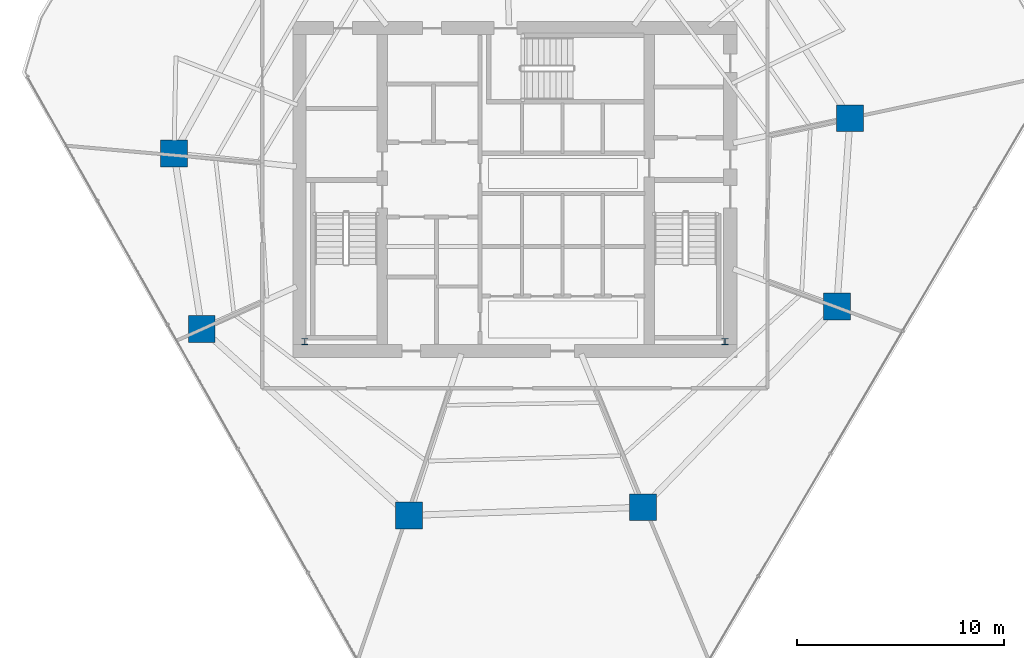
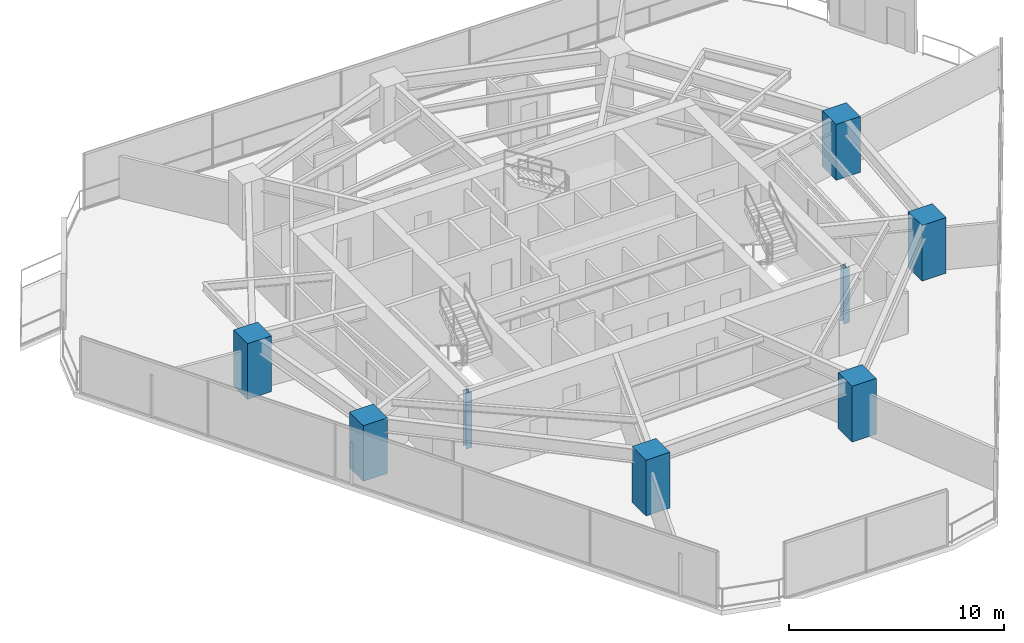
# One storey, part 1 of 31: 8 columns.
"""IFC4 building model written with IfcOpenShell, lengths in metres."""

from ifc_helpers import new_model, si_unit, direction, frame, origin, origin_2d, place, context, subcontext, project, spatial, rectangle, i_section, extrude, material, material_profile, profile_set, type_object, element, save


model = new_model("IFC4")

# Units and contexts
model_context = context("Model", 3, precision=1e-05, world=origin(), true_north=direction((0.0, 1.0)))
body_context = subcontext(model_context, "Body", "Model", "MODEL_VIEW")
ifc_project = project(units=[si_unit("LENGTHUNIT", "METRE"), si_unit("AREAUNIT", "SQUARE_METRE"), si_unit("VOLUMEUNIT", "CUBIC_METRE"), si_unit("PLANEANGLEUNIT", "RADIAN"), si_unit("MASSUNIT", "GRAM", prefix="KILO")], contexts=[model_context])

# Site, building, storey
site_placement = place(None, origin())
site = spatial("IfcSite", under=ifc_project, at=site_placement, CompositionType="ELEMENT")
building_placement = place(site_placement, origin())
building = spatial("IfcBuilding", under=site, at=building_placement, Name="Qarnah Convention Tower", CompositionType="ELEMENT")
storey_placement = place(building_placement, frame((0.0, 0.0, 64.949951171875)))
storey = spatial("IfcBuildingStorey", under=building, at=storey_placement, Name="L16", CompositionType="ELEMENT", Elevation=64.949951171875)

# Columns
ifc_material_1 = material(Name="Concrete C60/75", Category="concrete")
ifc_material_profile_1 = material_profile(ifc_material_1, rectangle(XDim=1.300048828125, YDim=1.300048828125, at=origin_2d()), Name="RC-COL-1300X1300")
ifc_profile_set_1 = profile_set([ifc_material_profile_1], Name="Concrete C60/75")
column_type_1 = type_object("IfcColumnType", Name="COL-Z1-1300", PredefinedType="COLUMN", material=ifc_profile_set_1)
for number, where, z_axis, x_axis, name in (
    (1, (53.387939453125, 29.841064453125, 0.0), (0.0, 0.0, 1.0), (1.0, 0.0, 0.0), "L16 plumb column PC-Z1-01"),
    (2, (20.740966796875, 28.1298828125, 0.0), (0.0, 0.0, 1.0), (1.0, 0.0, 0.0), "L16 plumb column PC-Z1-05"),
    (3, (22.0810546875, 19.6689453125, 0.0), (0.0, 0.0, 1.0), (1.0, 0.0, 0.0), "L16 plumb column PC-Z1-06"),
    (4, (32.0859375, 10.659912109375, 0.0), (0.0, 0.0, 1.0), (1.0, 0.0, 0.0), "L16 plumb column PC-Z1-07"),
    (5, (43.39990234375, 11.054931640625, 0.0), (0.0, 0.0, 1.0), (1.0, 0.0, 0.0), "L16 plumb column PC-Z1-08"),
    (6, (52.751953125, 20.739990234375, 0.0), (0.0, 0.0, 1.0), (1.0, 0.0, 0.0), "L16 plumb column PC-Z1-09"),
):
    element("IfcColumn", number, at=place(storey_placement, frame(where, z_axis=z_axis, x_axis=x_axis)), inside=storey, type_object=column_type_1, Name=name, PredefinedType="COLUMN", context=body_context, shape_type="SweptSolid", body=[
        extrude(rectangle(XDim=1.300048828125, YDim=1.300048828125, at=origin_2d()), origin(), (0.0, 0.0, 1.0), 3.170166015625),
    ])
ifc_material_2 = material(Name="Structural steel S355JR", Category="steel")
ifc_material_profile_2 = material_profile(ifc_material_2, i_section(OverallWidth=0.300048828125, OverallDepth=0.300048828125, WebThickness=0.010986328125, FlangeThickness=0.01904296875, at=origin_2d()), Name="HEB300")
ifc_profile_set_2 = profile_set([ifc_material_profile_2], Name="Structural steel S355JR")
column_type_2 = type_object("IfcColumnType", Name="PIL-SHF-300", PredefinedType="PILASTER", material=ifc_profile_set_2)
for number, where, z_axis, x_axis, name in (
    (7, (27.050048828125, 19.050048828125, 0.0), (0.0, 0.0, 1.0), (1.0, 0.0, 0.0), "L16 core spine steel pilaster 1"),
    (8, (47.35009765625, 19.050048828125, 0.0), (0.0, 0.0, 1.0), (1.0, 0.0, 0.0), "L16 core spine steel pilaster 2"),
):
    element("IfcColumn", number, at=place(storey_placement, frame(where, z_axis=z_axis, x_axis=x_axis)), inside=storey, type_object=column_type_2, Name=name, PredefinedType="PILASTER", context=body_context, shape_type="SweptSolid", body=[
        extrude(i_section(OverallWidth=0.300048828125, OverallDepth=0.300048828125, WebThickness=0.010986328125, FlangeThickness=0.01904296875, at=origin_2d()), origin(), (0.0, 0.0, 1.0), 3.170166015625),
    ])

save(model, "model.ifc")
